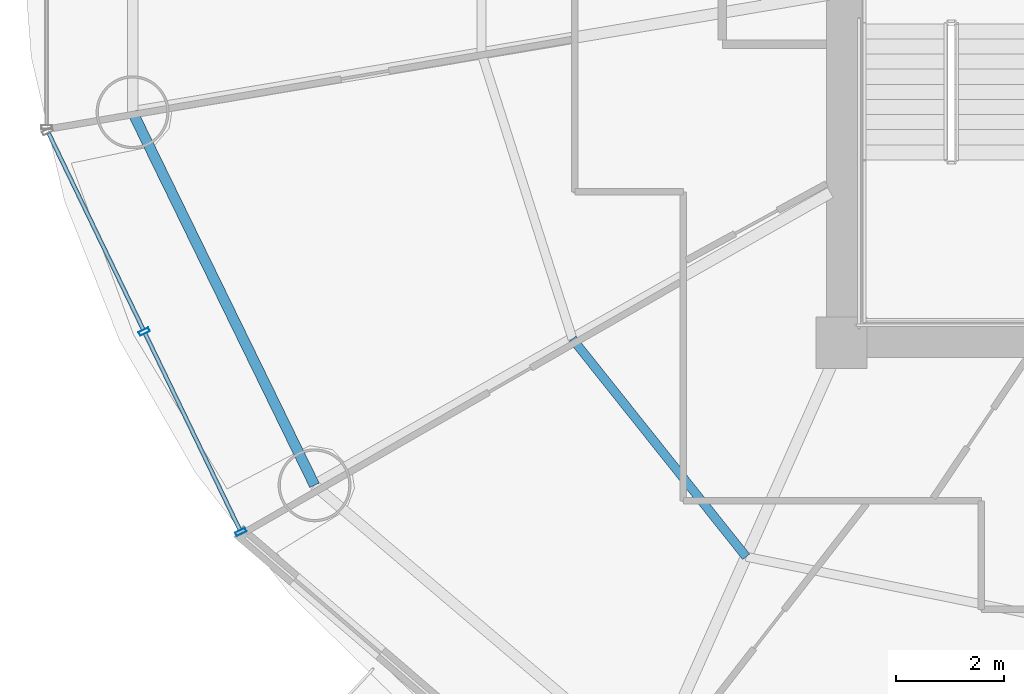
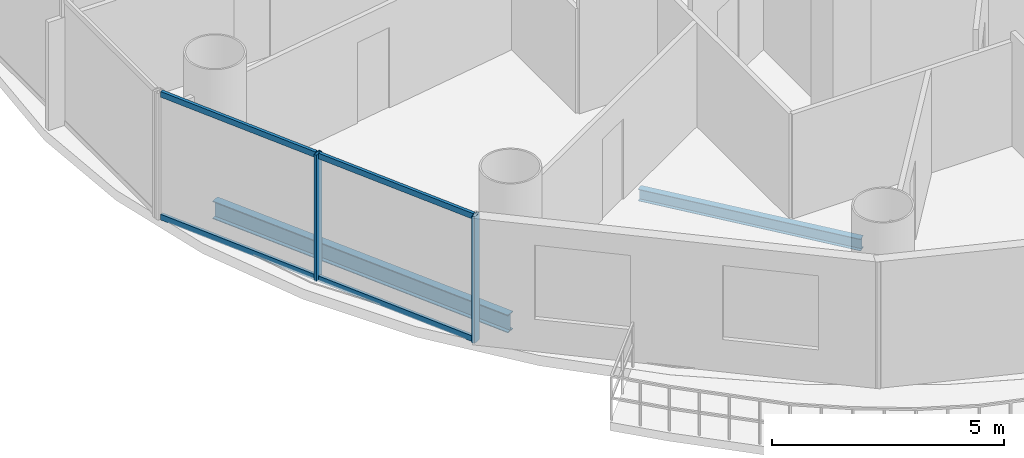
# One storey, part 2 of 26: 6 members, 2 beams, 1 element without a shape of its own.
"""IFC4 building model written with IfcOpenShell, lengths in metres."""

from ifc_helpers import new_model, si_unit, direction, frame, origin, origin_2d, place, context, subcontext, project, spatial, hollow_rectangle, i_section, extrude, source, transform, mapped, material, material_profile, profile_set, type_object, element, aggregate, save


model = new_model("IFC4")

# Units and contexts
model_context = context("Model", 3, precision=1e-05, world=origin(), true_north=direction((-0.2419218956, 0.970295726276)))
body_context = subcontext(model_context, "Body", "Model", "MODEL_VIEW")
ifc_project = project(units=[si_unit("LENGTHUNIT", "METRE"), si_unit("AREAUNIT", "SQUARE_METRE"), si_unit("VOLUMEUNIT", "CUBIC_METRE"), si_unit("PLANEANGLEUNIT", "RADIAN"), si_unit("MASSUNIT", "GRAM", prefix="KILO")], contexts=[model_context])

# Site, building, storey
site_placement = place(None, origin())
site = spatial("IfcSite", under=ifc_project, at=site_placement, CompositionType="ELEMENT")
building_placement = place(site_placement, origin())
building = spatial("IfcBuilding", under=site, at=building_placement, Name="Cobrevalo Terracotta Tower", CompositionType="ELEMENT")
storey_placement = place(building_placement, frame((0.0, 0.0, 171.39990234375)))
storey = spatial("IfcBuildingStorey", under=building, at=storey_placement, Name="L45", CompositionType="ELEMENT", Elevation=171.39990234375)

# Beams
ifc_material_1 = material(Name="Steel S355", Category="steel")
ifc_material_profile_1 = material_profile(ifc_material_1, i_section(OverallWidth=0.1650390625, OverallDepth=0.31005859375, WebThickness=0.005859375, FlangeThickness=0.009765625, at=origin_2d()), Name="W 310x38.7")
ifc_profile_set_1 = profile_set([ifc_material_profile_1], Name="Steel S355")
beam_type_1 = type_object("IfcBeamType", Name="Structural Joist W 310x38.7 (Steel S355)", PredefinedType="JOIST", material=ifc_profile_set_1)
beam_1_placement = place(storey_placement, frame((24.022705078125, 18.868896484375, -0.4248046875), z_axis=(0.623382939397, -0.781916690492, 0.0), x_axis=(0.781916690492, 0.623382939397, 0.0)))
element("IfcBeam", 1, at=beam_1_placement, inside=storey, type_object=beam_type_1, Name="L45 circumferential secondary floor joist 10", PredefinedType="JOIST", context=body_context, shape_type="SweptSolid", body=[
    extrude(i_section(OverallWidth=0.1650390625, OverallDepth=0.31005859375, WebThickness=0.005859375, FlangeThickness=0.009765625, at=origin_2d()), origin(), (0.0, 0.0, 1.0), 5.154296875),
])
ifc_material_profile_2 = material_profile(ifc_material_1, i_section(OverallWidth=0.194091796875, OverallDepth=0.468994140625, WebThickness=0.011474609375, FlangeThickness=0.0205078125, at=origin_2d()), Name="W 460x106")
ifc_profile_set_2 = profile_set([ifc_material_profile_2], Name="Steel S355")
beam_type_2 = type_object("IfcBeamType", Name="Structural Spandrel W 460x106 (Steel S355)", PredefinedType="SPANDREL", material=ifc_profile_set_2)
beam_2_placement = place(storey_placement, frame((15.88330078125, 23.06396484375, -0.50439453125), z_axis=(0.438380418332, -0.898789524206, 0.0), x_axis=(0.898789524206, 0.438380418332, 0.0)))
element("IfcBeam", 2, at=beam_2_placement, inside=storey, type_object=beam_type_2, Name="L45 perimeter ring spandrel 09", PredefinedType="SPANDREL", context=body_context, shape_type="SweptSolid", body=[
    extrude(i_section(OverallWidth=0.194091796875, OverallDepth=0.468994140625, WebThickness=0.011474609375, FlangeThickness=0.0205078125, at=origin_2d()), origin(), (0.0, 0.0, 1.0), 7.680419921875),
])

# Curtain wall, members
ifc_material_2 = material(Name="Anodized aluminium", Category="aluminium")
curtain_wall_type = type_object("IfcCurtainWallType", Name="Mid-tower high-wind unitised curtain wall CW-U2", PredefinedType="NOTDEFINED", material=ifc_material_2)
curtain_wall_placement = place(storey_placement, origin())
curtain_wall = element("IfcCurtainWall", 3, at=curtain_wall_placement, inside=storey, type_object=curtain_wall_type, Name="L45 curtain wall CW-L45-S09", PredefinedType="NOTDEFINED")
ifc_material_profile_3 = material_profile(ifc_material_2, hollow_rectangle(XDim=0.074951171875, YDim=0.199951171875, WallThickness=0.0048828125, at=origin_2d()), Name="CWM 75x200")
ifc_profile_set_3 = profile_set([ifc_material_profile_3], Name="Anodized aluminium")
member_type_1 = type_object("IfcMemberType", Name="Lower/mid tower unitised mullion 75x200", PredefinedType="MULLION", material=ifc_profile_set_3)
shared_shape_1 = source(origin(), body_context, "Body", "SweptSolid", [
    extrude(hollow_rectangle(XDim=0.074951171875, YDim=0.199951171875, WallThickness=0.0048828125, at=origin_2d()), origin(), (0.0, 0.0, 1.0), 3.330078125),
])
member_1_placement = place(storey_placement, frame((16.098876953125, 19.00439453125, 0.0), z_axis=(0.0, 0.0, 1.0), x_axis=(0.434209440271, -0.900811945957, 0.0)))
member_1 = element("IfcMember", 4, at=member_1_placement, type_object=member_type_1, Name="CW-L45-S09 vertical mullion 02", PredefinedType="MULLION", context=body_context, shape_type="MappedRepresentation", body=[
    mapped(shared_shape_1, transform((0.0, 0.0, 0.0), scale=1.0)),
])
member_2_placement = place(storey_placement, frame((17.885986328125, 15.296875, 0.0), z_axis=(0.0, 0.0, 1.0), x_axis=(0.434209440271, -0.900811945957, 0.0)))
member_2 = element("IfcMember", 5, at=member_2_placement, type_object=member_type_1, Name="CW-L45-S09 vertical mullion 03", PredefinedType="MULLION", context=body_context, shape_type="MappedRepresentation", body=[
    mapped(shared_shape_1, transform((0.0, 0.0, 0.0), scale=1.0)),
])
ifc_material_profile_4 = material_profile(ifc_material_2, hollow_rectangle(XDim=0.074951171875, YDim=0.14990234375, WallThickness=0.00439453125, at=origin_2d()), Name="CWT 75x150")
ifc_profile_set_4 = profile_set([ifc_material_profile_4], Name="Anodized aluminium")
member_type_2 = type_object("IfcMemberType", Name="Tower unitised aluminium transom 75x150", PredefinedType="USERDEFINED", material=ifc_profile_set_4)
shared_shape_2 = source(origin(), body_context, "Body", "SweptSolid", [
    extrude(hollow_rectangle(XDim=0.074951171875, YDim=0.14990234375, WallThickness=0.00439453125, at=origin_2d()), origin(), (0.0, 0.0, 1.0), 4.035888671875),
])
member_3_placement = place(storey_placement, frame((14.3291015625, 22.676025390625, 0.050048828125), z_axis=(0.434221176581, -0.900806288726, 0.0), x_axis=(0.900806288726, 0.434221176581, 0.0)))
member_3 = element("IfcMember", 6, at=member_3_placement, type_object=member_type_2, Name="CW-L45-S09 transom B01-T1", ObjectType="TRANSOM", PredefinedType="USERDEFINED", context=body_context, shape_type="MappedRepresentation", body=[
    mapped(shared_shape_2, transform((0.0, 0.0, 0.0), scale=1.0)),
])
member_4_placement = place(storey_placement, frame((14.3291015625, 22.676025390625, 3.280029296875), z_axis=(0.434221176581, -0.900806288726, 0.0), x_axis=(0.900806288726, 0.434221176581, 0.0)))
member_4 = element("IfcMember", 7, at=member_4_placement, type_object=member_type_2, Name="CW-L45-S09 transom B01-T2", ObjectType="TRANSOM", PredefinedType="USERDEFINED", context=body_context, shape_type="MappedRepresentation", body=[
    mapped(shared_shape_2, transform((0.0, 0.0, 0.0), scale=1.0)),
])
member_5_placement = place(storey_placement, frame((16.1162109375, 18.96826171875, 0.050048828125), z_axis=(0.434221176581, -0.900806288726, 0.0), x_axis=(0.900806288726, 0.434221176581, 0.0)))
member_5 = element("IfcMember", 8, at=member_5_placement, type_object=member_type_2, Name="CW-L45-S09 transom B02-T1", ObjectType="TRANSOM", PredefinedType="USERDEFINED", context=body_context, shape_type="MappedRepresentation", body=[
    mapped(shared_shape_2, transform((0.0, 0.0, 0.0), scale=1.0)),
])
member_6_placement = place(storey_placement, frame((16.1162109375, 18.96826171875, 3.280029296875), z_axis=(0.434221176581, -0.900806288726, 0.0), x_axis=(0.900806288726, 0.434221176581, 0.0)))
member_6 = element("IfcMember", 9, at=member_6_placement, type_object=member_type_2, Name="CW-L45-S09 transom B02-T2", ObjectType="TRANSOM", PredefinedType="USERDEFINED", context=body_context, shape_type="MappedRepresentation", body=[
    mapped(shared_shape_2, transform((0.0, 0.0, 0.0), scale=1.0)),
])
aggregate(curtain_wall, [member_1, member_2, member_3, member_4, member_5, member_6])

save(model, "model.ifc")
